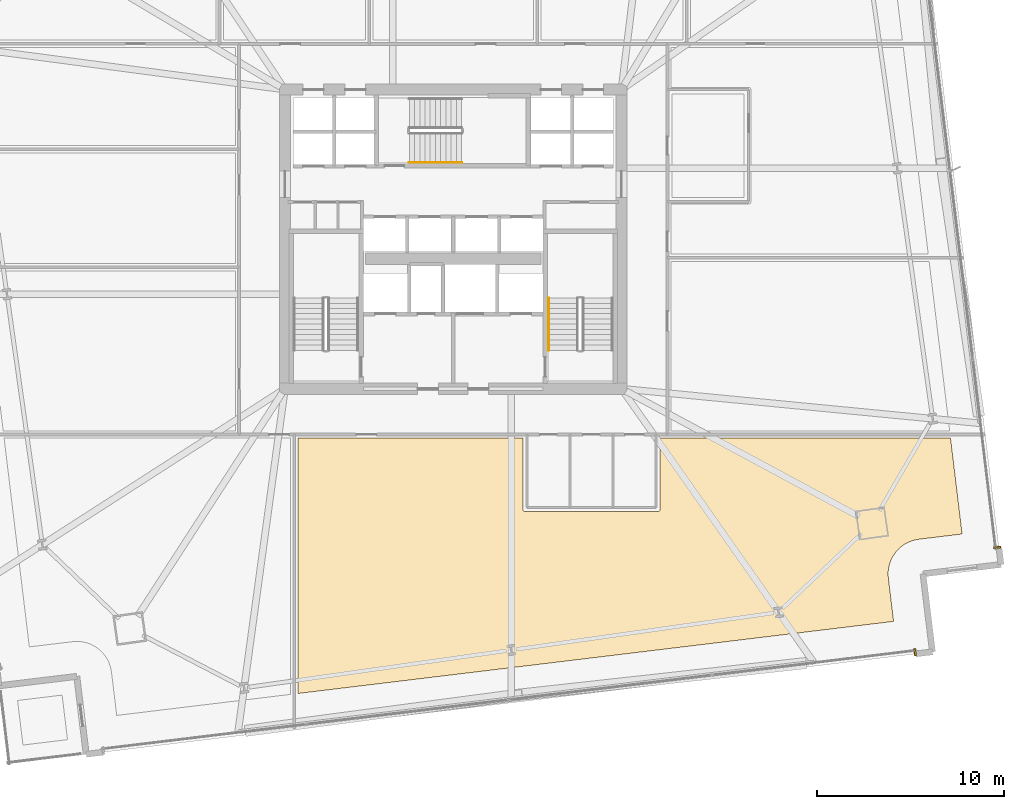
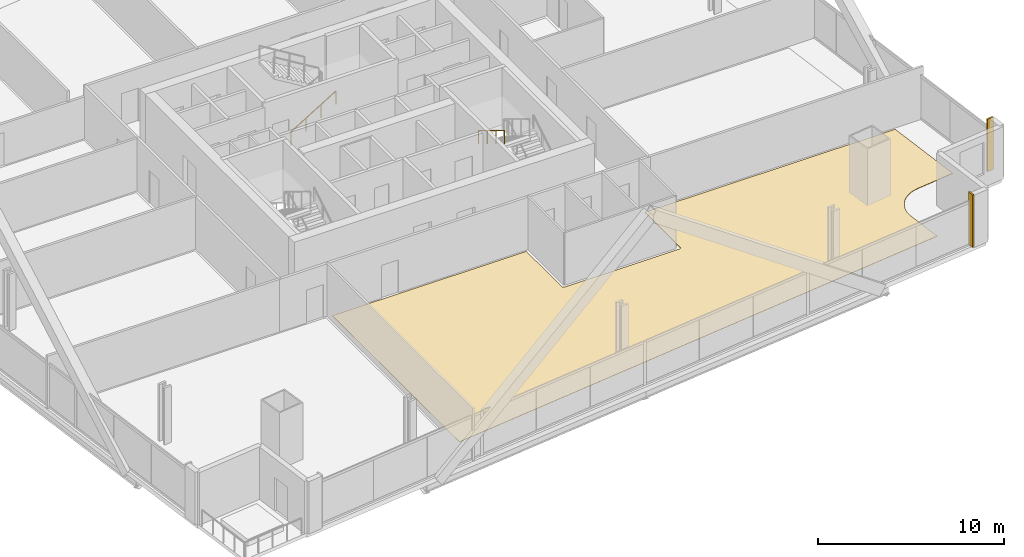
# One storey, part 30 of 33: 3 coverings, 2 railings.
"""IFC4 building model written with IfcOpenShell, lengths in metres."""

from ifc_helpers import new_model, si_unit, direction, frame, origin, origin_2d, place, context, subcontext, project, spatial, polyline, rectangle, outline, extrude, source, transform, mapped, material, layer, layer_set, type_object, element, save


model = new_model("IFC4")

# Units and contexts
model_context = context("Model", 3, precision=1e-05, world=origin(), true_north=direction((0.0, 1.0)))
body_context = subcontext(model_context, "Body", "Model", "MODEL_VIEW")
ifc_project = project(units=[si_unit("LENGTHUNIT", "METRE"), si_unit("AREAUNIT", "SQUARE_METRE"), si_unit("VOLUMEUNIT", "CUBIC_METRE"), si_unit("PLANEANGLEUNIT", "RADIAN"), si_unit("MASSUNIT", "GRAM", prefix="KILO")], contexts=[model_context])

# Site, building, storey
site_placement = place(None, origin())
site = spatial("IfcSite", under=ifc_project, at=site_placement, CompositionType="ELEMENT")
building_placement = place(site_placement, origin())
building = spatial("IfcBuilding", under=site, at=building_placement, Name="Haldenkirk Collegiate Tower", CompositionType="ELEMENT")
storey_placement = place(building_placement, frame((0.0, 0.0, 51.449951171875)))
storey = spatial("IfcBuildingStorey", under=building, at=storey_placement, Name="L11", CompositionType="ELEMENT", Elevation=51.449951171875)

# Covering
ifc_material_1 = material(Name="Engineered collegiate oak acoustic flooring", Category="wood")
ifc_layer_1 = layer(ifc_material_1, 0.02197265625)
ifc_layer_set_1 = layer_set([ifc_layer_1], Name="Engineered collegiate oak acoustic flooring")
covering_type_1 = type_object("IfcCoveringType", Name="COV-FLOOR-TIMBER", PredefinedType="FLOORING", material=ifc_layer_set_1)
covering_placement = place(storey_placement, origin())
element("IfcCovering", 1, at=covering_placement, inside=storey, type_object=covering_type_1, Name="L11 academic room finish 03", PredefinedType="FLOORING", context=body_context, shape_type="SweptSolid", body=[
    extrude(outline(polyline([(39.72998046875, 11.550048828125), (39.730712890625, 11.5380859375), (39.732421875, 11.526611328125), (39.735107421875, 11.51513671875), (39.739013671875, 11.504150390625), (39.744140625, 11.493408203125), (39.750244140625, 11.4833984375), (39.757080078125, 11.473876953125), (39.76513671875, 11.465087890625), (39.77392578125, 11.457275390625), (39.783203125, 11.4501953125), (39.79345703125, 11.444091796875), (39.80419921875, 11.439208984375), (39.815185546875, 11.435302734375), (39.82666015625, 11.432373046875), (39.838134765625, 11.4306640625), (39.85009765625, 11.429931640625), (46.949951171875, 11.429931640625), (46.9619140625, 11.4306640625), (46.973388671875, 11.432373046875), (46.98486328125, 11.435302734375), (46.995849609375, 11.439208984375), (47.006591796875, 11.444091796875), (47.0166015625, 11.4501953125), (47.026123046875, 11.457275390625), (47.034912109375, 11.465087890625), (47.042724609375, 11.473876953125), (47.0498046875, 11.4833984375), (47.055908203125, 11.493408203125), (47.060791015625, 11.504150390625), (47.064697265625, 11.51513671875), (47.067626953125, 11.526611328125), (47.0693359375, 11.5380859375), (47.070068359375, 11.550048828125), (47.070068359375, 15.35009765625), (62.60205078125, 15.35009765625), (63.22216796875, 10.22607421875), (60.9091796875, 9.9462890625), (60.9033203125, 9.9453125), (60.73388671875, 9.91650390625), (60.722412109375, 9.913818359375), (60.556884765625, 9.868408203125), (60.545654296875, 9.86474609375), (60.38525390625, 9.803466796875), (60.37451171875, 9.798583984375), (60.220947265625, 9.7216796875), (60.210693359375, 9.7158203125), (60.0654296875, 9.62451171875), (60.0556640625, 9.61767578125), (59.920166015625, 9.51220703125), (59.9111328125, 9.504638671875), (59.78662109375, 9.386474609375), (59.7783203125, 9.3779296875), (59.666015625, 9.248291015625), (59.65869140625, 9.239013671875), (59.559326171875, 9.0986328125), (59.552978515625, 9.0888671875), (59.468017578125, 8.939697265625), (59.462890625, 8.92919921875), (59.392822265625, 8.772216796875), (59.388427734375, 8.76123046875), (59.334228515625, 8.598388671875), (59.331298828125, 8.5869140625), (59.293212890625, 8.41943359375), (59.291015625, 8.407958984375), (59.26953125, 8.237548828125), (59.268798828125, 8.2255859375), (59.26416015625, 8.05419921875), (59.264404296875, 8.042236328125), (59.276611328125, 7.87109375), (59.27734375, 7.865234375), (59.55712890625, 5.552001953125), (27.699951171875, 1.69677734375), (27.699951171875, 15.35009765625), (39.72998046875, 15.35009765625), (39.72998046875, 11.550048828125)])), origin(), (0.0, 0.0, 1.0), 0.02197265625),
])

# Railings
ifc_material_2 = material(Name="Painted architectural tubular steel", Category="steel")
railing_type = type_object("IfcRailingType", Name="RLG-STAIR-HANDRAIL-900", PredefinedType="HANDRAIL", material=ifc_material_2)
railing_1_placement = place(storey_placement, frame((41.10009765625, 22.85009765625, 2.04541015625)))
element("IfcRailing", 2, at=railing_1_placement, inside=storey, type_object=railing_type, Name="L11 ST-2 stair handrail 2", PredefinedType="HANDRAIL", context=body_context, shape_type="SweptSolid", body=[
    extrude(rectangle(XDim=0.048095703125, YDim=0.048095703125, at=origin_2d()), frame((0.0, 0.0, 0.8759765625), z_axis=(0.0, -0.854169791009, 0.51999420009), x_axis=(1.0, 0.0, 0.0)), (0.0, 0.0, 1.0), 3.278076171875),
    extrude(rectangle(XDim=0.0419921875, YDim=0.0419921875, at=origin_2d()), origin(), (0.0, 0.0, 1.0), 0.851806640625),
    extrude(rectangle(XDim=0.0419921875, YDim=0.0419921875, at=origin_2d()), frame((0.0, -0.933349609375, 0.568115234375)), (0.0, 0.0, 1.0), 0.851806640625),
    extrude(rectangle(XDim=0.0419921875, YDim=0.0419921875, at=origin_2d()), frame((0.0, -1.86669921875, 1.136474609375)), (0.0, 0.0, 1.0), 0.851806640625),
    extrude(rectangle(XDim=0.0419921875, YDim=0.0419921875, at=origin_2d()), frame((0.0, -2.800048828125, 1.70458984375)), (0.0, 0.0, 1.0), 0.851806640625),
])
railing_2_placement = place(storey_placement, frame((33.64990234375, 30.10009765625, 0.17041015625)))
element("IfcRailing", 3, at=railing_2_placement, inside=storey, type_object=railing_type, Name="L11 ST-3 stair handrail 1", PredefinedType="HANDRAIL", context=body_context, shape_type="SweptSolid", body=[
    extrude(rectangle(XDim=0.048095703125, YDim=0.048095703125, at=origin_2d()), frame((0.0, 0.0, 0.8759765625), z_axis=(0.854169791009, 0.0, 0.51999420009), x_axis=(0.0, 1.0, 0.0)), (0.0, 0.0, 1.0), 3.278076171875),
    extrude(rectangle(XDim=0.0419921875, YDim=0.0419921875, at=origin_2d()), origin(), (0.0, 0.0, 1.0), 0.851806640625),
    extrude(rectangle(XDim=0.0419921875, YDim=0.0419921875, at=origin_2d()), frame((0.933349609375, 0.0, 0.568115234375)), (0.0, 0.0, 1.0), 0.851806640625),
    extrude(rectangle(XDim=0.0419921875, YDim=0.0419921875, at=origin_2d()), frame((1.86669921875, 0.0, 1.136474609375)), (0.0, 0.0, 1.0), 0.851806640625),
    extrude(rectangle(XDim=0.0419921875, YDim=0.0419921875, at=origin_2d()), frame((2.800048828125, 0.0, 1.70458984375)), (0.0, 0.0, 1.0), 0.851806640625),
])

# Coverings
ifc_material_3 = material(Name="Anodised architectural bronze aluminium", Category="aluminium")
ifc_layer_2 = layer(ifc_material_3, 0.06005859375)
ifc_layer_set_2 = layer_set([ifc_layer_2], Name="Anodised architectural bronze aluminium")
covering_type_2 = type_object("IfcCoveringType", Name="COV-CLAD-BRONZE-60", PredefinedType="CLADDING", material=ifc_layer_set_2)
shared_shape = source(origin(), body_context, "Body", "SweptSolid", [
    extrude(rectangle(XDim=0.10009765625, YDim=0.3798828125, at=origin_2d()), origin(), (0.0, 0.0, 1.0), 3.43994140625),
])
for number, where, z_axis, x_axis, name in (
    (4, (60.7041015625, 3.897705078125, 0.0), (0.0, 0.0, 1.0), (-0.992757341929, -0.120136838835, 0.0), "L11 recessed curtain-wall bronze jamb closure SJL"),
    (5, (65.102294921875, 9.5068359375, 0.0), (0.0, 0.0, 1.0), (0.120136838835, -0.992757341929, 0.0), "L11 recessed curtain-wall bronze jamb closure EJR"),
):
    element("IfcCovering", number, at=place(storey_placement, frame(where, z_axis=z_axis, x_axis=x_axis)), inside=storey, type_object=covering_type_2, Name=name, PredefinedType="CLADDING", context=body_context, shape_type="MappedRepresentation", body=[
        mapped(shared_shape, transform((0.0, 0.0, 0.0), x_axis=(1.0, 0.0, 0.0), y_axis=(0.0, 1.0, 0.0), z_axis=(0.0, 0.0, 1.0), scale=1.0)),
    ])

save(model, "model.ifc")
